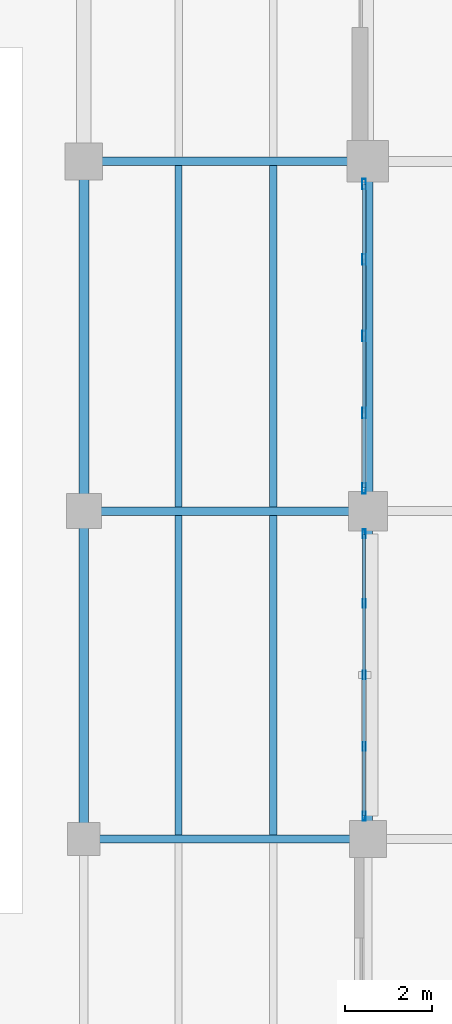
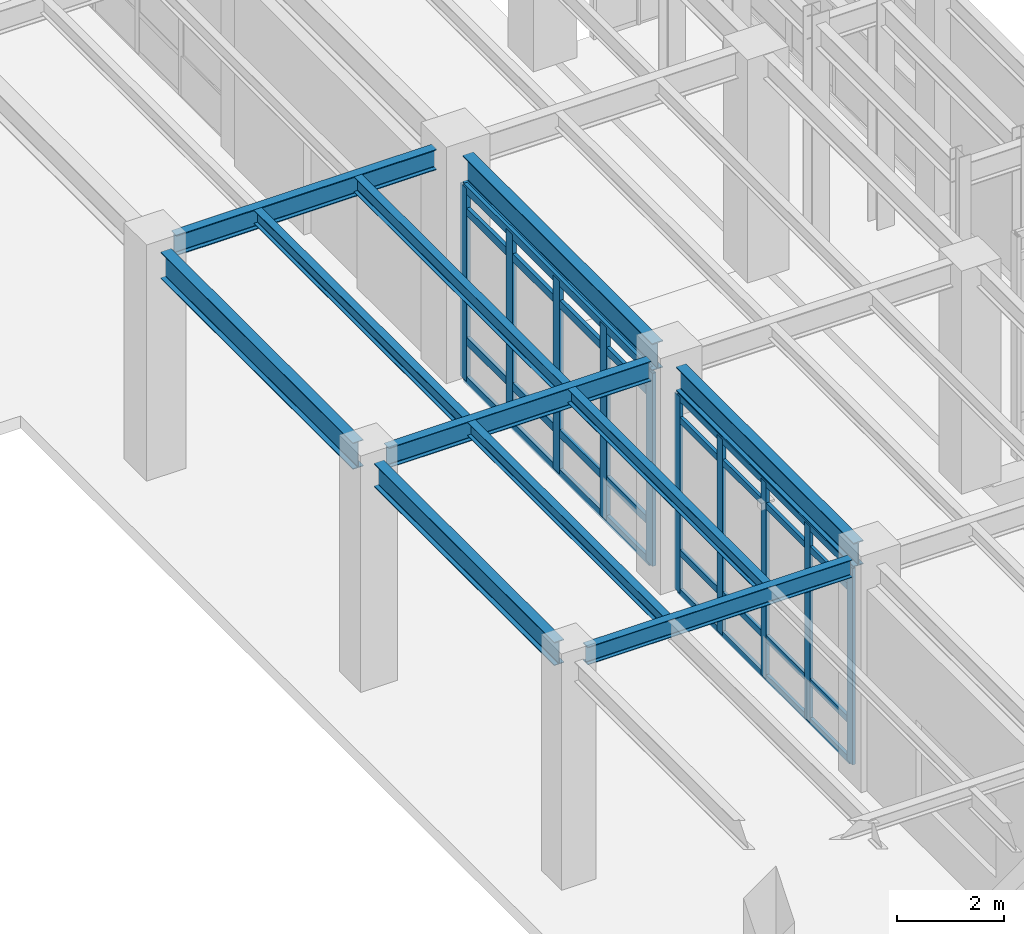
# One storey, part 111 of 203: 18 members, 11 beams, 2 elements without a shape of their own.
"""IFC4 building model written with IfcOpenShell, lengths in metres."""

from ifc_helpers import new_model, si_unit, direction, frame, origin, origin_2d, place, context, subcontext, project, spatial, hollow_rectangle, i_section, extrude, material, material_profile, profile_set, type_object, element, aggregate, save


model = new_model("IFC4")

# Units and contexts
model_context = context("Model", 3, precision=1e-05, world=origin(), true_north=direction((0.0, 1.0)))
body_context = subcontext(model_context, "Body", "Model", "MODEL_VIEW")
ifc_project = project(units=[si_unit("LENGTHUNIT", "METRE"), si_unit("AREAUNIT", "SQUARE_METRE"), si_unit("VOLUMEUNIT", "CUBIC_METRE"), si_unit("PLANEANGLEUNIT", "RADIAN"), si_unit("MASSUNIT", "GRAM", prefix="KILO"), si_unit("THERMODYNAMICTEMPERATUREUNIT", "KELVIN"), si_unit("POWERUNIT", "WATT")], contexts=[model_context])

# Site, building, storey
site_placement = place(None, origin())
site = spatial("IfcSite", under=ifc_project, at=site_placement, CompositionType="ELEMENT")
building_placement = place(site_placement, origin())
building = spatial("IfcBuilding", under=site, at=building_placement, Name="Tepalcoro Natatorium and Aquatics Centre", CompositionType="ELEMENT")
storey_placement = place(building_placement, origin())
storey = spatial("IfcBuildingStorey", under=building, at=storey_placement, Name="L00", CompositionType="ELEMENT", Elevation=0.0)

# Beams
ifc_material_1 = material(Name="Steel ASTM A992 Grade 50 (Fy 345 MPa)", Category="steel")
ifc_material_profile_1 = material_profile(ifc_material_1, i_section(OverallWidth=0.177978515625, OverallDepth=0.406005859375, WebThickness=0.008056640625, FlangeThickness=0.012939453125, FilletRadius=0.013916015625, at=origin_2d()), Name="W16X40")
ifc_profile_set_1 = profile_set([ifc_material_profile_1], Name="Steel ASTM A992 Grade 50 (Fy 345 MPa)")
beam_type_1 = type_object("IfcBeamType", Name="BM_W16x40", PredefinedType="BEAM", material=ifc_profile_set_1)
beam_1_placement = place(storey_placement, frame((125.360107421875, 20.5, 4.922119140625), z_axis=(1.0, 0.0, 0.0), x_axis=(0.0, 1.0, 0.0)))
element("IfcBeam", 1, at=beam_1_placement, inside=storey, type_object=beam_type_1, Name="V1 L00 Grid Girder X", PredefinedType="BEAM", context=body_context, shape_type="SweptSolid", body=[
    extrude(i_section(OverallWidth=0.177978515625, OverallDepth=0.406005859375, WebThickness=0.008056640625, FlangeThickness=0.012939453125, FilletRadius=0.013916015625, at=origin_2d()), origin(), (0.0, 0.0, 1.0), 5.72998046875),
])
ifc_material_profile_2 = material_profile(ifc_material_1, i_section(OverallWidth=0.19091796875, OverallDepth=0.45703125, WebThickness=0.009033203125, FlangeThickness=0.013916015625, FilletRadius=0.013916015625, at=origin_2d()), Name="W18X50")
ifc_profile_set_2 = profile_set([ifc_material_profile_2], Name="Steel ASTM A992 Grade 50 (Fy 345 MPa)")
beam_type_2 = type_object("IfcBeamType", Name="BM_W18x50", PredefinedType="BEAM", material=ifc_profile_set_2)
beam_2_placement = place(storey_placement, frame((125.385009765625, 28.0, 4.896484375), z_axis=(1.0, 0.0, 0.0), x_axis=(0.0, 1.0, 0.0)))
element("IfcBeam", 2, at=beam_2_placement, inside=storey, type_object=beam_type_2, Name="V1 L00 Grid Girder X", PredefinedType="BEAM", context=body_context, shape_type="SweptSolid", body=[
    extrude(i_section(OverallWidth=0.19091796875, OverallDepth=0.45703125, WebThickness=0.009033203125, FlangeThickness=0.013916015625, FilletRadius=0.013916015625, at=origin_2d()), origin(), (0.0, 0.0, 1.0), 5.679931640625),
])
ifc_material_profile_3 = material_profile(ifc_material_1, i_section(OverallWidth=0.193115234375, OverallDepth=0.467041015625, WebThickness=0.010986328125, FlangeThickness=0.01904296875, FilletRadius=0.013916015625, at=origin_2d()), Name="W18X65")
ifc_profile_set_3 = profile_set([ifc_material_profile_3], Name="Steel ASTM A992 Grade 50 (Fy 345 MPa)")
beam_type_3 = type_object("IfcBeamType", Name="BM_W18x65", PredefinedType="BEAM", material=ifc_profile_set_3)
beam_3_placement = place(storey_placement, frame((125.409912109375, 36.0, 4.8916015625), z_axis=(1.0, 0.0, 0.0), x_axis=(0.0, 1.0, 0.0)))
element("IfcBeam", 3, at=beam_3_placement, inside=storey, type_object=beam_type_3, Name="V1 L00 Grid Girder X", PredefinedType="BEAM", context=body_context, shape_type="SweptSolid", body=[
    extrude(i_section(OverallWidth=0.193115234375, OverallDepth=0.467041015625, WebThickness=0.010986328125, FlangeThickness=0.01904296875, FilletRadius=0.013916015625, at=origin_2d()), origin(), (0.0, 0.0, 1.0), 5.630126953125),
])
ifc_material_profile_4 = material_profile(ifc_material_1, i_section(OverallWidth=0.2099609375, OverallDepth=0.532958984375, WebThickness=0.010009765625, FlangeThickness=0.01611328125, FilletRadius=0.013916015625, at=origin_2d()), Name="W21X62")
ifc_profile_set_4 = profile_set([ifc_material_profile_4], Name="Steel ASTM A992 Grade 50 (Fy 345 MPa)")
beam_type_4 = type_object("IfcBeamType", Name="BM_W21x62", PredefinedType="BEAM", material=ifc_profile_set_4)
beam_4_placement = place(storey_placement, frame((125.0, 20.860107421875, 4.8583984375), z_axis=(0.0, 1.0, 0.0), x_axis=(-1.0, 0.0, 0.0)))
element("IfcBeam", 4, at=beam_4_placement, inside=storey, type_object=beam_type_4, Name="V1 L00 Grid Girder Y", PredefinedType="BEAM", context=body_context, shape_type="SweptSolid", body=[
    extrude(i_section(OverallWidth=0.2099609375, OverallDepth=0.532958984375, WebThickness=0.010009765625, FlangeThickness=0.01611328125, FilletRadius=0.013916015625, at=origin_2d()), origin(), (0.0, 0.0, 1.0), 6.7548828125),
])
ifc_material_profile_5 = material_profile(ifc_material_1, i_section(OverallWidth=0.2119140625, OverallDepth=0.5439453125, WebThickness=0.012939453125, FlangeThickness=0.02099609375, FilletRadius=0.013916015625, at=origin_2d()), Name="W21X83")
ifc_profile_set_5 = profile_set([ifc_material_profile_5], Name="Steel ASTM A992 Grade 50 (Fy 345 MPa)")
beam_type_5 = type_object("IfcBeamType", Name="BM_W21x83", PredefinedType="BEAM", material=ifc_profile_set_5)
beam_5_placement = place(storey_placement, frame((131.5, 20.909912109375, 4.81298828125), z_axis=(0.0, 1.0, 0.0), x_axis=(-1.0, 0.0, 0.0)))
element("IfcBeam", 5, at=beam_5_placement, inside=storey, type_object=beam_type_5, Name="V1 L00 Grid Girder Y", PredefinedType="BEAM", context=body_context, shape_type="SweptSolid", body=[
    extrude(i_section(OverallWidth=0.2119140625, OverallDepth=0.5439453125, WebThickness=0.012939453125, FlangeThickness=0.02099609375, FilletRadius=0.013916015625, at=origin_2d()), origin(), (0.0, 0.0, 1.0), 6.655029296875),
])
ifc_material_profile_6 = material_profile(ifc_material_1, i_section(OverallWidth=0.22802734375, OverallDepth=0.60693359375, WebThickness=0.010986328125, FlangeThickness=0.01708984375, FilletRadius=0.013916015625, at=origin_2d()), Name="W24X76")
ifc_profile_set_6 = profile_set([ifc_material_profile_6], Name="Steel ASTM A992 Grade 50 (Fy 345 MPa)")
beam_type_6 = type_object("IfcBeamType", Name="BM_W24x76", PredefinedType="BEAM", material=ifc_profile_set_6)
beam_6_placement = place(storey_placement, frame((125.0, 28.385009765625, 4.821533203125), z_axis=(0.0, 1.0, 0.0), x_axis=(-1.0, 0.0, 0.0)))
element("IfcBeam", 6, at=beam_6_placement, inside=storey, type_object=beam_type_6, Name="V1 L00 Grid Girder Y", PredefinedType="BEAM", context=body_context, shape_type="SweptSolid", body=[
    extrude(i_section(OverallWidth=0.22802734375, OverallDepth=0.60693359375, WebThickness=0.010986328125, FlangeThickness=0.01708984375, FilletRadius=0.013916015625, at=origin_2d()), origin(), (0.0, 0.0, 1.0), 7.205078125),
])
ifc_material_profile_7 = material_profile(ifc_material_1, i_section(OverallWidth=0.22998046875, OverallDepth=0.616943359375, WebThickness=0.012939453125, FlangeThickness=0.02197265625, FilletRadius=0.013916015625, at=origin_2d()), Name="W24X94")
ifc_profile_set_7 = profile_set([ifc_material_profile_7], Name="Steel ASTM A992 Grade 50 (Fy 345 MPa)")
beam_type_7 = type_object("IfcBeamType", Name="BM_W24x94", PredefinedType="BEAM", material=ifc_profile_set_7)
beam_7_placement = place(storey_placement, frame((131.5, 28.43505859375, 4.776611328125), z_axis=(0.0, 1.0, 0.0), x_axis=(-1.0, 0.0, 0.0)))
element("IfcBeam", 7, at=beam_7_placement, inside=storey, type_object=beam_type_7, Name="V1 L00 Grid Girder Y", PredefinedType="BEAM", context=body_context, shape_type="SweptSolid", body=[
    extrude(i_section(OverallWidth=0.22998046875, OverallDepth=0.616943359375, WebThickness=0.012939453125, FlangeThickness=0.02197265625, FilletRadius=0.013916015625, at=origin_2d()), origin(), (0.0, 0.0, 1.0), 7.10498046875),
])

# Curtain wall, members
ifc_material_2 = material(Name="Bronze-Anodised Extruded Aluminium Alloy EN AW-6063 T6", Category="aluminium")
curtain_wall_type_1 = type_object("IfcCurtainWallType", Name="CW_LEAN_T2_EW", PredefinedType="USERDEFINED", material=ifc_material_2)
curtain_wall_1_placement = place(storey_placement, origin())
curtain_wall_1 = element("IfcCurtainWall", 8, at=curtain_wall_1_placement, inside=storey, type_object=curtain_wall_type_1, Name="V1 L00 E Unitised Curtain Wall Bay 3", ObjectType="FACETED SOLAR GLAZING", PredefinedType="USERDEFINED")
ifc_material_profile_8 = material_profile(ifc_material_2, hollow_rectangle(XDim=0.070068359375, YDim=0.199951171875, WallThickness=0.0048828125, at=origin_2d()), Name="AL70X200X5")
ifc_profile_set_8 = profile_set([ifc_material_profile_8], Name="Bronze-Anodised Extruded Aluminium Alloy EN AW-6063 T6")
member_type_1 = type_object("IfcMemberType", Name="CW_MUL_70x200", PredefinedType="MULLION", material=ifc_profile_set_8)
member_1_placement = place(storey_placement, frame((131.409912109375, 21.02001953125, 0.02001953125), z_axis=(0.0, 0.0, 1.0), x_axis=(1.0, 0.0, 0.0)))
member_1 = element("IfcMember", 9, at=member_1_placement, type_object=member_type_1, Name="CW_LEAN_T2_EW Curtain Wall Mullion", PredefinedType="MULLION", context=body_context, shape_type="SweptSolid", body=[
    extrude(hollow_rectangle(XDim=0.070068359375, YDim=0.199951171875, WallThickness=0.0048828125, at=origin_2d()), origin(), (0.0, 0.0, 1.0), 4.486083984375),
])
member_2_placement = place(storey_placement, frame((131.409912109375, 22.614990234375, 0.02001953125), z_axis=(0.0, 0.0, 1.0), x_axis=(1.0, 0.0, 0.0)))
member_2 = element("IfcMember", 10, at=member_2_placement, type_object=member_type_1, Name="CW_LEAN_T2_EW Curtain Wall Mullion", PredefinedType="MULLION", context=body_context, shape_type="SweptSolid", body=[
    extrude(hollow_rectangle(XDim=0.070068359375, YDim=0.199951171875, WallThickness=0.0048828125, at=origin_2d()), origin(), (0.0, 0.0, 1.0), 4.486083984375),
])
member_3_placement = place(storey_placement, frame((131.409912109375, 24.25, 0.02001953125), z_axis=(0.0, 0.0, 1.0), x_axis=(1.0, 0.0, 0.0)))
member_3 = element("IfcMember", 11, at=member_3_placement, type_object=member_type_1, Name="CW_LEAN_T2_EW Curtain Wall Mullion", PredefinedType="MULLION", context=body_context, shape_type="SweptSolid", body=[
    extrude(hollow_rectangle(XDim=0.070068359375, YDim=0.199951171875, WallThickness=0.0048828125, at=origin_2d()), origin(), (0.0, 0.0, 1.0), 4.486083984375),
])
member_4_placement = place(storey_placement, frame((131.409912109375, 25.885009765625, 0.02001953125), z_axis=(0.0, 0.0, 1.0), x_axis=(1.0, 0.0, 0.0)))
member_4 = element("IfcMember", 12, at=member_4_placement, type_object=member_type_1, Name="CW_LEAN_T2_EW Curtain Wall Mullion", PredefinedType="MULLION", context=body_context, shape_type="SweptSolid", body=[
    extrude(hollow_rectangle(XDim=0.070068359375, YDim=0.199951171875, WallThickness=0.0048828125, at=origin_2d()), origin(), (0.0, 0.0, 1.0), 4.486083984375),
])
member_5_placement = place(storey_placement, frame((131.409912109375, 27.47998046875, 0.02001953125), z_axis=(0.0, 0.0, 1.0), x_axis=(1.0, 0.0, 0.0)))
member_5 = element("IfcMember", 13, at=member_5_placement, type_object=member_type_1, Name="CW_LEAN_T2_EW Curtain Wall Mullion", PredefinedType="MULLION", context=body_context, shape_type="SweptSolid", body=[
    extrude(hollow_rectangle(XDim=0.070068359375, YDim=0.199951171875, WallThickness=0.0048828125, at=origin_2d()), origin(), (0.0, 0.0, 1.0), 4.486083984375),
])

curtain_wall_type_2 = type_object("IfcCurtainWallType", Name="CW_V1_PLINTH", PredefinedType="USERDEFINED", material=ifc_material_2)
curtain_wall_2_placement = place(storey_placement, origin())
curtain_wall_2 = element("IfcCurtainWall", 14, at=curtain_wall_2_placement, inside=storey, type_object=curtain_wall_type_2, Name="V1 L00 E Unitised Curtain Wall Bay 4", ObjectType="UNITISED STOREFRONT", PredefinedType="USERDEFINED")
ifc_material_profile_9 = material_profile(ifc_material_2, hollow_rectangle(XDim=0.080078125, YDim=0.239990234375, WallThickness=0.0048828125, at=origin_2d()), Name="AL80X240X5")
ifc_profile_set_9 = profile_set([ifc_material_profile_9], Name="Bronze-Anodised Extruded Aluminium Alloy EN AW-6063 T6")
member_type_2 = type_object("IfcMemberType", Name="CW_MUL_80x240", PredefinedType="MULLION", material=ifc_profile_set_9)
member_6_placement = place(storey_placement, frame((131.409912109375, 28.52001953125, 0.02001953125), z_axis=(0.0, 0.0, 1.0), x_axis=(1.0, 0.0, 0.0)))
member_6 = element("IfcMember", 15, at=member_6_placement, type_object=member_type_2, Name="CW_V1_PLINTH Curtain Wall Mullion", PredefinedType="MULLION", context=body_context, shape_type="SweptSolid", body=[
    extrude(hollow_rectangle(XDim=0.080078125, YDim=0.239990234375, WallThickness=0.0048828125, at=origin_2d()), origin(), (0.0, 0.0, 1.0), 4.4130859375),
])
member_7_placement = place(storey_placement, frame((131.409912109375, 30.239990234375, 0.02001953125), z_axis=(0.0, 0.0, 1.0), x_axis=(1.0, 0.0, 0.0)))
member_7 = element("IfcMember", 16, at=member_7_placement, type_object=member_type_2, Name="CW_V1_PLINTH Curtain Wall Mullion", PredefinedType="MULLION", context=body_context, shape_type="SweptSolid", body=[
    extrude(hollow_rectangle(XDim=0.080078125, YDim=0.239990234375, WallThickness=0.0048828125, at=origin_2d()), origin(), (0.0, 0.0, 1.0), 4.4130859375),
])
member_8_placement = place(storey_placement, frame((131.409912109375, 32.0, 0.02001953125), z_axis=(0.0, 0.0, 1.0), x_axis=(1.0, 0.0, 0.0)))
member_8 = element("IfcMember", 17, at=member_8_placement, type_object=member_type_2, Name="CW_V1_PLINTH Curtain Wall Mullion", PredefinedType="MULLION", context=body_context, shape_type="SweptSolid", body=[
    extrude(hollow_rectangle(XDim=0.080078125, YDim=0.239990234375, WallThickness=0.0048828125, at=origin_2d()), origin(), (0.0, 0.0, 1.0), 4.4130859375),
])
member_9_placement = place(storey_placement, frame((131.409912109375, 33.760009765625, 0.02001953125), z_axis=(0.0, 0.0, 1.0), x_axis=(1.0, 0.0, 0.0)))
member_9 = element("IfcMember", 18, at=member_9_placement, type_object=member_type_2, Name="CW_V1_PLINTH Curtain Wall Mullion", PredefinedType="MULLION", context=body_context, shape_type="SweptSolid", body=[
    extrude(hollow_rectangle(XDim=0.080078125, YDim=0.239990234375, WallThickness=0.0048828125, at=origin_2d()), origin(), (0.0, 0.0, 1.0), 4.4130859375),
])
member_10_placement = place(storey_placement, frame((131.409912109375, 35.47998046875, 0.02001953125), z_axis=(0.0, 0.0, 1.0), x_axis=(1.0, 0.0, 0.0)))
member_10 = element("IfcMember", 19, at=member_10_placement, type_object=member_type_2, Name="CW_V1_PLINTH Curtain Wall Mullion", PredefinedType="MULLION", context=body_context, shape_type="SweptSolid", body=[
    extrude(hollow_rectangle(XDim=0.080078125, YDim=0.239990234375, WallThickness=0.0048828125, at=origin_2d()), origin(), (0.0, 0.0, 1.0), 4.4130859375),
])

# Member
ifc_material_profile_10 = material_profile(ifc_material_2, hollow_rectangle(XDim=0.070068359375, YDim=0.14990234375, WallThickness=0.00390625, at=origin_2d()), Name="AL70X150X4")
ifc_profile_set_10 = profile_set([ifc_material_profile_10], Name="Bronze-Anodised Extruded Aluminium Alloy EN AW-6063 T6")
member_type_3 = type_object("IfcMemberType", Name="CW_TRN_70x150", PredefinedType="USERDEFINED", material=ifc_profile_set_10)
member_11_placement = place(storey_placement, frame((131.409912109375, 21.030029296875, 0.050048828125), z_axis=(0.0, 1.0, 0.0), x_axis=(-1.0, 0.0, 0.0)))
member_11 = element("IfcMember", 20, at=member_11_placement, type_object=member_type_3, Name="CW_LEAN_T2_EW Curtain Wall Transom", ObjectType="TRANSOM", PredefinedType="USERDEFINED", context=body_context, shape_type="SweptSolid", body=[
    extrude(hollow_rectangle(XDim=0.070068359375, YDim=0.14990234375, WallThickness=0.00390625, at=origin_2d()), origin(), (0.0, 0.0, 1.0), 6.43994140625),
])

member_12_placement = place(storey_placement, frame((131.409912109375, 21.030029296875, 0.949951171875), z_axis=(0.0, 1.0, 0.0), x_axis=(-1.0, 0.0, 0.0)))
member_12 = element("IfcMember", 21, at=member_12_placement, type_object=member_type_3, Name="CW_LEAN_T2_EW Curtain Wall Transom", ObjectType="TRANSOM", PredefinedType="USERDEFINED", context=body_context, shape_type="SweptSolid", body=[
    extrude(hollow_rectangle(XDim=0.070068359375, YDim=0.14990234375, WallThickness=0.00390625, at=origin_2d()), origin(), (0.0, 0.0, 1.0), 6.43994140625),
])

member_13_placement = place(storey_placement, frame((131.409912109375, 21.030029296875, 3.97607421875), z_axis=(0.0, 1.0, 0.0), x_axis=(-1.0, 0.0, 0.0)))
member_13 = element("IfcMember", 22, at=member_13_placement, type_object=member_type_3, Name="CW_LEAN_T2_EW Curtain Wall Transom", ObjectType="TRANSOM", PredefinedType="USERDEFINED", context=body_context, shape_type="SweptSolid", body=[
    extrude(hollow_rectangle(XDim=0.070068359375, YDim=0.14990234375, WallThickness=0.00390625, at=origin_2d()), origin(), (0.0, 0.0, 1.0), 6.43994140625),
])

member_14_placement = place(storey_placement, frame((131.409912109375, 21.030029296875, 4.47607421875), z_axis=(0.0, 1.0, 0.0), x_axis=(-1.0, 0.0, 0.0)))
member_14 = element("IfcMember", 23, at=member_14_placement, type_object=member_type_3, Name="CW_LEAN_T2_EW Curtain Wall Transom", ObjectType="TRANSOM", PredefinedType="USERDEFINED", context=body_context, shape_type="SweptSolid", body=[
    extrude(hollow_rectangle(XDim=0.070068359375, YDim=0.14990234375, WallThickness=0.00390625, at=origin_2d()), origin(), (0.0, 0.0, 1.0), 6.43994140625),
])

aggregate(curtain_wall_1, [member_1, member_2, member_3, member_4, member_5, member_11, member_12, member_13, member_14])

ifc_material_profile_11 = material_profile(ifc_material_2, hollow_rectangle(XDim=0.080078125, YDim=0.179931640625, WallThickness=0.0048828125, at=origin_2d()), Name="AL80X180X5")
ifc_profile_set_11 = profile_set([ifc_material_profile_11], Name="Bronze-Anodised Extruded Aluminium Alloy EN AW-6063 T6")
member_type_4 = type_object("IfcMemberType", Name="CW_TRN_80x180", PredefinedType="USERDEFINED", material=ifc_profile_set_11)
member_15_placement = place(storey_placement, frame((131.409912109375, 28.530029296875, 0.050048828125), z_axis=(0.0, 1.0, 0.0), x_axis=(-1.0, 0.0, 0.0)))
member_15 = element("IfcMember", 24, at=member_15_placement, type_object=member_type_4, Name="CW_V1_PLINTH Curtain Wall Transom", ObjectType="TRANSOM", PredefinedType="USERDEFINED", context=body_context, shape_type="SweptSolid", body=[
    extrude(hollow_rectangle(XDim=0.080078125, YDim=0.179931640625, WallThickness=0.0048828125, at=origin_2d()), origin(), (0.0, 0.0, 1.0), 6.93994140625),
])

member_16_placement = place(storey_placement, frame((131.409912109375, 28.530029296875, 0.949951171875), z_axis=(0.0, 1.0, 0.0), x_axis=(-1.0, 0.0, 0.0)))
member_16 = element("IfcMember", 25, at=member_16_placement, type_object=member_type_4, Name="CW_V1_PLINTH Curtain Wall Transom", ObjectType="TRANSOM", PredefinedType="USERDEFINED", context=body_context, shape_type="SweptSolid", body=[
    extrude(hollow_rectangle(XDim=0.080078125, YDim=0.179931640625, WallThickness=0.0048828125, at=origin_2d()), origin(), (0.0, 0.0, 1.0), 6.93994140625),
])

member_17_placement = place(storey_placement, frame((131.409912109375, 28.530029296875, 3.903076171875), z_axis=(0.0, 1.0, 0.0), x_axis=(-1.0, 0.0, 0.0)))
member_17 = element("IfcMember", 26, at=member_17_placement, type_object=member_type_4, Name="CW_V1_PLINTH Curtain Wall Transom", ObjectType="TRANSOM", PredefinedType="USERDEFINED", context=body_context, shape_type="SweptSolid", body=[
    extrude(hollow_rectangle(XDim=0.080078125, YDim=0.179931640625, WallThickness=0.0048828125, at=origin_2d()), origin(), (0.0, 0.0, 1.0), 6.93994140625),
])

member_18_placement = place(storey_placement, frame((131.409912109375, 28.530029296875, 4.403076171875), z_axis=(0.0, 1.0, 0.0), x_axis=(-1.0, 0.0, 0.0)))
member_18 = element("IfcMember", 27, at=member_18_placement, type_object=member_type_4, Name="CW_V1_PLINTH Curtain Wall Transom", ObjectType="TRANSOM", PredefinedType="USERDEFINED", context=body_context, shape_type="SweptSolid", body=[
    extrude(hollow_rectangle(XDim=0.080078125, YDim=0.179931640625, WallThickness=0.0048828125, at=origin_2d()), origin(), (0.0, 0.0, 1.0), 6.93994140625),
])

aggregate(curtain_wall_2, [member_6, member_7, member_8, member_9, member_10, member_15, member_16, member_17, member_18])

# Beams
ifc_material_profile_12 = material_profile(ifc_material_1, i_section(OverallWidth=0.1650390625, OverallDepth=0.31005859375, WebThickness=0.006103515625, FlangeThickness=0.010009765625, FilletRadius=0.013916015625, at=origin_2d()), Name="W12X26")
ifc_profile_set_12 = profile_set([ifc_material_profile_12], Name="Steel ASTM A992 Grade 50 (Fy 345 MPa)")
beam_type_8 = type_object("IfcBeamType", Name="JS_W12x26", PredefinedType="JOIST", material=ifc_profile_set_12)
beam_8_placement = place(storey_placement, frame((127.166748046875, 20.589111328125, 4.969970703125), z_axis=(0.0, 1.0, 0.0), x_axis=(-1.0, 0.0, 0.0)))
element("IfcBeam", 28, at=beam_8_placement, inside=storey, type_object=beam_type_8, Name="V1 L00 Floor Joist", PredefinedType="JOIST", context=body_context, shape_type="SweptSolid", body=[
    extrude(i_section(OverallWidth=0.1650390625, OverallDepth=0.31005859375, WebThickness=0.006103515625, FlangeThickness=0.010009765625, FilletRadius=0.013916015625, at=origin_2d()), origin(), (0.0, 0.0, 1.0), 7.3154296875),
])
ifc_material_profile_13 = material_profile(ifc_material_1, i_section(OverallWidth=0.1669921875, OverallDepth=0.318115234375, WebThickness=0.008056640625, FlangeThickness=0.012939453125, FilletRadius=0.013916015625, at=origin_2d()), Name="W12X35")
ifc_profile_set_13 = profile_set([ifc_material_profile_13], Name="Steel ASTM A992 Grade 50 (Fy 345 MPa)")
beam_type_9 = type_object("IfcBeamType", Name="JS_W12x35", PredefinedType="JOIST", material=ifc_profile_set_13)
beam_9_placement = place(storey_placement, frame((129.333251953125, 20.589111328125, 4.966064453125), z_axis=(0.0, 1.0, 0.0), x_axis=(-1.0, 0.0, 0.0)))
element("IfcBeam", 29, at=beam_9_placement, inside=storey, type_object=beam_type_9, Name="V1 L00 Floor Joist", PredefinedType="JOIST", context=body_context, shape_type="SweptSolid", body=[
    extrude(i_section(OverallWidth=0.1669921875, OverallDepth=0.318115234375, WebThickness=0.008056640625, FlangeThickness=0.012939453125, FilletRadius=0.013916015625, at=origin_2d()), origin(), (0.0, 0.0, 1.0), 7.3154296875),
])
beam_10_placement = place(storey_placement, frame((127.166748046875, 28.095458984375, 4.966064453125), z_axis=(0.0, 1.0, 0.0), x_axis=(-1.0, 0.0, 0.0)))
element("IfcBeam", 30, at=beam_10_placement, inside=storey, type_object=beam_type_9, Name="V1 L00 Floor Joist", PredefinedType="JOIST", context=body_context, shape_type="SweptSolid", body=[
    extrude(i_section(OverallWidth=0.1669921875, OverallDepth=0.318115234375, WebThickness=0.008056640625, FlangeThickness=0.012939453125, FilletRadius=0.013916015625, at=origin_2d()), origin(), (0.0, 0.0, 1.0), 7.80810546875),
])
ifc_material_profile_14 = material_profile(ifc_material_1, i_section(OverallWidth=0.1708984375, OverallDepth=0.35107421875, WebThickness=0.007080078125, FlangeThickness=0.010009765625, FilletRadius=0.013916015625, at=origin_2d()), Name="W14X30")
ifc_profile_set_14 = profile_set([ifc_material_profile_14], Name="Steel ASTM A992 Grade 50 (Fy 345 MPa)")
beam_type_10 = type_object("IfcBeamType", Name="JS_W14x30", PredefinedType="JOIST", material=ifc_profile_set_14)
beam_11_placement = place(storey_placement, frame((129.333251953125, 28.095458984375, 4.949462890625), z_axis=(0.0, 1.0, 0.0), x_axis=(-1.0, 0.0, 0.0)))
element("IfcBeam", 31, at=beam_11_placement, inside=storey, type_object=beam_type_10, Name="V1 L00 Floor Joist", PredefinedType="JOIST", context=body_context, shape_type="SweptSolid", body=[
    extrude(i_section(OverallWidth=0.1708984375, OverallDepth=0.35107421875, WebThickness=0.007080078125, FlangeThickness=0.010009765625, FilletRadius=0.013916015625, at=origin_2d()), origin(), (0.0, 0.0, 1.0), 7.80810546875),
])

save(model, "model.ifc")
